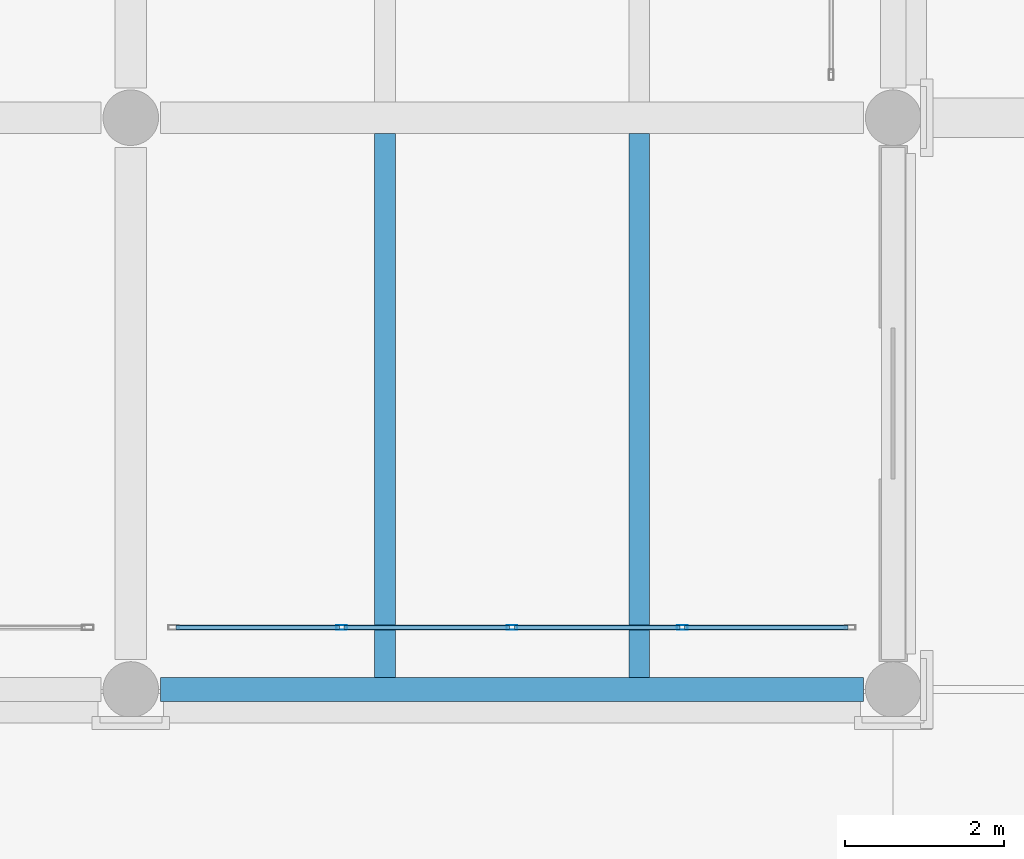
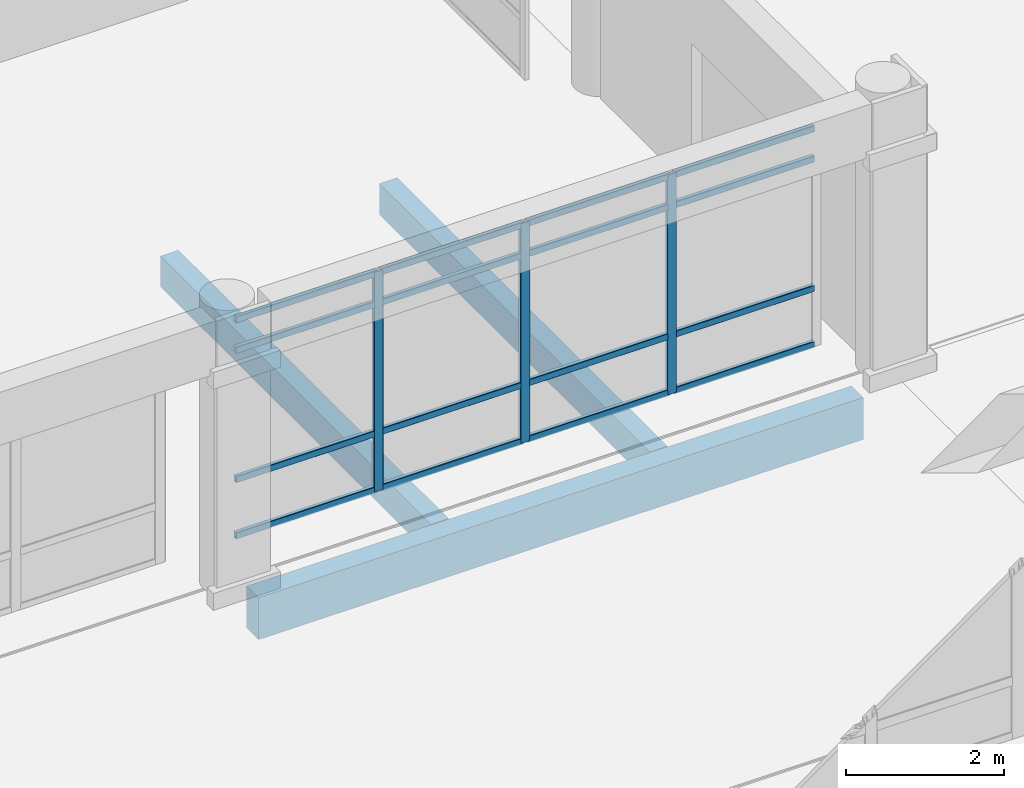
# One storey, part 58 of 196: 19 members, 3 beams, 1 element without a shape of its own.
"""IFC4 building model written with IfcOpenShell, lengths in metres."""

import ifcopenshell
import ifcopenshell.guid

model = None  # the IFC model being written
_history = None  # IfcOwnerHistory: only IFC2X3 demands one
_inside = {}  # id of a spatial element -> (the spatial element, [elements in it])
_under = {}  # id of a project, library or spatial element -> (it, [spatial elements below it])
_declared = {}  # id of a project -> (the project, [libraries it declares])
_typed = {}  # id of a type object -> (the type object, [elements of that type])
_made_of = {}  # id of a material, layer set ... -> (it, [elements and type objects made of it])


def new_model(schema):
    """Start an empty IFC model of exactly this schema.

    Asked for "IFC4X3", IfcOpenShell would pick the latest addendum, in which some entities
    have other attributes; the version numbers below select the first issue.
    IFC2X3 requires an IfcOwnerHistory on every rooted entity: one is made here for all.
    """
    global model, _history
    if schema == "IFC4X3":
        model = ifcopenshell.file(schema_version=(4, 3, 0, 0))
    else:
        model = ifcopenshell.file(schema=schema)
    _inside.clear()
    _under.clear()
    _declared.clear()
    _typed.clear()
    _made_of.clear()
    _history = None
    if model.schema == "IFC2X3":
        org = make("IfcOrganization", Name="unknown")
        user = make(
            "IfcPersonAndOrganization",
            ThePerson=make("IfcPerson", FamilyName="unknown"),
            TheOrganization=org,
        )
        app = make(
            "IfcApplication",
            ApplicationDeveloper=org,
            Version="unknown",
            ApplicationFullName="unknown",
            ApplicationIdentifier="unknown",
        )
        _history = make(
            "IfcOwnerHistory",
            OwningUser=user,
            OwningApplication=app,
            ChangeAction="ADDED",
            CreationDate=0,
        )
    return model


def make(cls, **values):
    """One entity of the class cls with the attributes given. An attribute that is None is left unset."""
    return model.create_entity(
        cls, **{name: value for name, value in values.items() if value is not None}
    )


def rooted(cls, **values):
    """An entity with a GlobalId (a new one), such as an element, a storey or a relation."""
    return make(cls, GlobalId=ifcopenshell.guid.new(), OwnerHistory=_history, **values)


def si_unit(unit_type, name, prefix=None):
    """IfcSIUnit, for example si_unit("LENGTHUNIT", "METRE", prefix="MILLI")."""
    return make("IfcSIUnit", UnitType=unit_type, Prefix=prefix, Name=name)


def assignment(units):
    """IfcUnitAssignment: the units of a project."""
    return None if units is None else make("IfcUnitAssignment", Units=units)


def point(xyz):
    """IfcCartesianPoint."""
    return None if xyz is None else make("IfcCartesianPoint", Coordinates=xyz)


def direction(xyz):
    """IfcDirection."""
    return None if xyz is None else make("IfcDirection", DirectionRatios=xyz)


def frame(location, z_axis=None, x_axis=None):
    """IfcAxis2Placement3D, a coordinate frame: its origin and axes. An axis left out is left unset."""
    return make(
        "IfcAxis2Placement3D",
        Location=point(location),
        Axis=direction(z_axis),
        RefDirection=direction(x_axis),
    )


def frame_2d(location, x_axis=None):
    """IfcAxis2Placement2D, a coordinate frame in the plane: its origin and x axis."""
    return make(
        "IfcAxis2Placement2D", Location=point(location), RefDirection=direction(x_axis)
    )


def origin():
    """The frame at (0, 0, 0) with its axes left unset."""
    return frame((0.0, 0.0, 0.0))


def origin_2d():
    """The frame at (0, 0) in the plane with its x axis left unset."""
    return frame_2d((0.0, 0.0))


def place(relative_to, where):
    """IfcLocalPlacement: puts the frame where relative to a parent placement (None: the world)."""
    return make(
        "IfcLocalPlacement", PlacementRelTo=relative_to, RelativePlacement=where
    )


def context(
    kind, dimensions, precision=None, world=None, true_north=None, identifier=None
):
    """IfcGeometricRepresentationContext, for example the 3D "Model" context."""
    return make(
        "IfcGeometricRepresentationContext",
        ContextIdentifier=identifier,
        ContextType=kind,
        CoordinateSpaceDimension=dimensions,
        Precision=precision,
        WorldCoordinateSystem=world,
        TrueNorth=true_north,
    )


def subcontext(parent, identifier, kind, view, scale=None):
    """IfcGeometricRepresentationSubContext, for example "Body" below "Model"."""
    return make(
        "IfcGeometricRepresentationSubContext",
        ContextIdentifier=identifier,
        ContextType=kind,
        ParentContext=parent,
        TargetScale=scale,
        TargetView=view,
    )


def project(units=None, contexts=None):
    """IfcProject with its units and contexts."""
    return rooted(
        "IfcProject",
        Name="project",
        RepresentationContexts=contexts,
        UnitsInContext=assignment(units),
    )


def spatial(cls, under=None, at=None, **own):
    """A site, building, storey or space (cls), placed at a placement, below another one or the project."""
    s = rooted(cls, ObjectPlacement=at, **own)
    if under is not None:
        _under.setdefault(under.id(), (under, []))[1].append(s)
    return s


def profile(cls, at=None, kind="AREA", **sizes):
    """A parametric profile (cls). Its sizes go by their IFC names, for example OverallWidth=200.0."""
    return make(cls, ProfileType=kind, Position=at, **sizes)


def rectangle(**sizes):
    """IfcRectangleProfileDef."""
    return profile("IfcRectangleProfileDef", **sizes)


def hollow_rectangle(**sizes):
    """IfcRectangleHollowProfileDef."""
    return profile("IfcRectangleHollowProfileDef", **sizes)


def extrude(swept, where, along, depth):
    """IfcExtrudedAreaSolid: the profile swept, set in the frame where, extruded along a direction by depth."""
    return make(
        "IfcExtrudedAreaSolid",
        SweptArea=swept,
        Position=where,
        ExtrudedDirection=direction(along),
        Depth=depth,
    )


def shape(context_of_items, identifier, shape_type, items):
    """IfcShapeRepresentation: the items that make up one representation, for example the "Body"."""
    return make(
        "IfcShapeRepresentation",
        ContextOfItems=context_of_items,
        RepresentationIdentifier=identifier,
        RepresentationType=shape_type,
        Items=items,
    )


def material(Name=None, Category=None):
    """IfcMaterial."""
    return make("IfcMaterial", Name=Name, Category=Category)


def layer(
    of_material, thickness, ventilated=None, Name=None, Category=None, Priority=None
):
    """IfcMaterialLayer: one layer of a wall or slab, of a material (None: an air gap)."""
    return make(
        "IfcMaterialLayer",
        Material=of_material,
        LayerThickness=thickness,
        IsVentilated=ventilated,
        Name=Name,
        Category=Category,
        Priority=Priority,
    )


def layer_set(layers, Name=None):
    """IfcMaterialLayerSet."""
    return make("IfcMaterialLayerSet", MaterialLayers=layers, LayerSetName=Name)


def material_profile(
    of_material, cross_section, Name=None, Category=None, Priority=None
):
    """IfcMaterialProfile: a cross section and its material."""
    return make(
        "IfcMaterialProfile",
        Name=Name,
        Material=of_material,
        Profile=cross_section,
        Priority=Priority,
        Category=Category,
    )


def profile_set(profiles, Name=None, composite=None):
    """IfcMaterialProfileSet."""
    return make(
        "IfcMaterialProfileSet",
        Name=Name,
        MaterialProfiles=profiles,
        CompositeProfile=composite,
    )


def made_of(thing, what):
    """Note that an element or type object is made of a material, layer set ...; save() writes the relation."""
    if what is not None:
        _made_of.setdefault(what.id(), (what, []))[1].append(thing)
    return thing


def type_object(cls, material=None, **own):
    """A type object (cls), such as IfcWallType, which elements share."""
    return made_of(rooted(cls, **own), material)


def element(
    cls,
    number,
    at=None,
    inside=None,
    cuts=None,
    type_object=None,
    material=None,
    context=None,
    identifier="Body",
    shape_type=None,
    held_by="IfcProductDefinitionShape",
    body=None,
    shapes=None,
    **own,
):
    """One element of the class cls, such as IfcWall. Its Tag is "e" and its number.

    at: its placement. inside: the storey or other place that contains it. cuts: it is an
    opening in that element (IfcRelVoidsElement). A single representation is given by context,
    identifier, shape_type and body (its items); several are given by shapes. held_by: the class
    of the entity that holds the representations. save() writes the other relations.
    """
    e = rooted(cls, Tag="e%d" % number, ObjectPlacement=at, **own)
    if body is not None:
        shapes = [shape(context, identifier, shape_type, body)]
    if shapes is not None:
        e.Representation = make(held_by, Representations=shapes)
    if inside is not None:
        _inside.setdefault(inside.id(), (inside, []))[1].append(e)
    if cuts is not None:
        rooted(
            "IfcRelVoidsElement", RelatingBuildingElement=cuts, RelatedOpeningElement=e
        )
    if type_object is not None:
        _typed.setdefault(type_object.id(), (type_object, []))[1].append(e)
    return made_of(e, material)


def aggregate(whole, parts):
    """IfcRelAggregates: a whole, such as a stair, and the parts it consists of."""
    return rooted("IfcRelAggregates", RelatingObject=whole, RelatedObjects=parts)


def save(model, path):
    """Write the relations noted so far, then the file.

    IfcRelAggregates (storeys below a building ...), IfcRelContainedInSpatialStructure (elements
    in a storey), IfcRelDefinesByType, IfcRelAssociatesMaterial and IfcRelDeclares: one each for
    every whole, place, type object, material and project.
    """
    for whole, parts in _under.values():
        aggregate(whole, parts)
    for where, things in _inside.values():
        rooted(
            "IfcRelContainedInSpatialStructure",
            RelatedElements=things,
            RelatingStructure=where,
        )
    for kind, things in _typed.values():
        rooted("IfcRelDefinesByType", RelatedObjects=things, RelatingType=kind)
    for what, things in _made_of.values():
        rooted("IfcRelAssociatesMaterial", RelatedObjects=things, RelatingMaterial=what)
    for by, libraries in _declared.values():
        rooted("IfcRelDeclares", RelatingContext=by, RelatedDefinitions=libraries)
    model.write(path)


model = new_model("IFC4")

# Units and contexts
model_context = context("Model", 3, precision=1e-05, world=origin(), true_north=direction((0.0, 1.0)))
body_context = subcontext(model_context, "Body", "Model", "MODEL_VIEW")
ifc_project = project(units=[si_unit("LENGTHUNIT", "METRE"), si_unit("AREAUNIT", "SQUARE_METRE"), si_unit("VOLUMEUNIT", "CUBIC_METRE"), si_unit("PLANEANGLEUNIT", "RADIAN"), si_unit("MASSUNIT", "GRAM", prefix="KILO")], contexts=[model_context])

# Site, building, storey
site_placement = place(None, origin())
site = spatial("IfcSite", under=ifc_project, at=site_placement, CompositionType="ELEMENT")
building_placement = place(site_placement, origin())
building = spatial("IfcBuilding", under=site, at=building_placement, Name="Asteropetra Specialist Clinic", CompositionType="ELEMENT")
storey_placement = place(building_placement, origin())
storey = spatial("IfcBuildingStorey", under=building, at=storey_placement, Name="L00", CompositionType="ELEMENT", Elevation=0.0)

# Curtain wall, members
ifc_material_1 = material(Name="Aluminium and low-E glass", Category="aluminium")
ifc_layer = layer(ifc_material_1, 0.14990234375)
ifc_layer_set = layer_set([ifc_layer], Name="Aluminium and low-E glass")
curtain_wall_type = type_object("IfcCurtainWallType", Name="CW-SYS-11", PredefinedType="USERDEFINED", material=ifc_layer_set)
curtain_wall_placement = place(storey_placement, origin())
curtain_wall = element("IfcCurtainWall", 1, at=curtain_wall_placement, inside=storey, type_object=curtain_wall_type, Name="Curtain Wall CW-149", ObjectType="STICK GLAZED COLONNADE", PredefinedType="USERDEFINED")
ifc_material_2 = material(Name="Aluminium 6063-T6", Category="aluminium")
ifc_material_profile_1 = material_profile(ifc_material_2, hollow_rectangle(XDim=0.06005859375, YDim=0.135009765625, WallThickness=0.00341796875, InnerFilletRadius=0.00341796875, OuterFilletRadius=0.007080078125, at=origin_2d()), Name="MUL 135x60x3.5")
ifc_profile_set_1 = profile_set([ifc_material_profile_1], Name="Aluminium 6063-T6")
member_type_1 = type_object("IfcMemberType", Name="CWM-135x60", PredefinedType="MULLION", material=ifc_profile_set_1)
member_1_placement = place(storey_placement, frame((41.054931640625, 34.3798828125, 0.0), z_axis=(0.0, 0.0, 1.0), x_axis=(0.0, 1.0, 0.0)))
member_1 = element("IfcMember", 2, at=member_1_placement, type_object=member_type_1, Name="CW-149 mullion 2", PredefinedType="MULLION", context=body_context, shape_type="SweptSolid", body=[
    extrude(hollow_rectangle(XDim=0.06005859375, YDim=0.135009765625, WallThickness=0.00341796875, InnerFilletRadius=0.00341796875, OuterFilletRadius=0.007080078125, at=origin_2d()), origin(), (0.0, 0.0, 1.0), 3.39990234375),
])
member_2_placement = place(storey_placement, frame((43.199951171875, 34.3798828125, 0.0), z_axis=(0.0, 0.0, 1.0), x_axis=(0.0, 1.0, 0.0)))
member_2 = element("IfcMember", 3, at=member_2_placement, type_object=member_type_1, Name="CW-149 mullion 3", PredefinedType="MULLION", context=body_context, shape_type="SweptSolid", body=[
    extrude(hollow_rectangle(XDim=0.06005859375, YDim=0.135009765625, WallThickness=0.00341796875, InnerFilletRadius=0.00341796875, OuterFilletRadius=0.007080078125, at=origin_2d()), origin(), (0.0, 0.0, 1.0), 3.39990234375),
])
member_3_placement = place(storey_placement, frame((45.344970703125, 34.3798828125, 0.0), z_axis=(0.0, 0.0, 1.0), x_axis=(0.0, 1.0, 0.0)))
member_3 = element("IfcMember", 4, at=member_3_placement, type_object=member_type_1, Name="CW-149 mullion 4", PredefinedType="MULLION", context=body_context, shape_type="SweptSolid", body=[
    extrude(hollow_rectangle(XDim=0.06005859375, YDim=0.135009765625, WallThickness=0.00341796875, InnerFilletRadius=0.00341796875, OuterFilletRadius=0.007080078125, at=origin_2d()), origin(), (0.0, 0.0, 1.0), 3.39990234375),
])
ifc_material_3 = material(Name="Aluminium 6063-T6", Category="aluminium")
ifc_material_profile_2 = material_profile(ifc_material_3, hollow_rectangle(XDim=0.06005859375, YDim=0.10009765625, WallThickness=0.00341796875, InnerFilletRadius=0.00341796875, OuterFilletRadius=0.007080078125, at=origin_2d()), Name="TRN 100x60x3.5")
ifc_profile_set_2 = profile_set([ifc_material_profile_2], Name="Aluminium 6063-T6")
member_type_2 = type_object("IfcMemberType", Name="CWT-100x60", PredefinedType="USERDEFINED", material=ifc_profile_set_2)
member_4_placement = place(storey_placement, frame((38.969970703125, 34.3798828125, 0.030029296875), z_axis=(1.0, 0.0, 0.0), x_axis=(0.0, 1.0, 0.0)))
member_4 = element("IfcMember", 5, at=member_4_placement, type_object=member_type_2, Name="CW-149 transom 1.1", ObjectType="TRANSOM", PredefinedType="USERDEFINED", context=body_context, shape_type="SweptSolid", body=[
    extrude(hollow_rectangle(XDim=0.06005859375, YDim=0.10009765625, WallThickness=0.00341796875, InnerFilletRadius=0.00341796875, OuterFilletRadius=0.007080078125, at=origin_2d()), origin(), (0.0, 0.0, 1.0), 2.054931640625),
])
member_5_placement = place(storey_placement, frame((38.969970703125, 34.3798828125, 0.89990234375), z_axis=(1.0, 0.0, 0.0), x_axis=(0.0, 1.0, 0.0)))
member_5 = element("IfcMember", 6, at=member_5_placement, type_object=member_type_2, Name="CW-149 transom 1.2", ObjectType="TRANSOM", PredefinedType="USERDEFINED", context=body_context, shape_type="SweptSolid", body=[
    extrude(hollow_rectangle(XDim=0.06005859375, YDim=0.10009765625, WallThickness=0.00341796875, InnerFilletRadius=0.00341796875, OuterFilletRadius=0.007080078125, at=origin_2d()), origin(), (0.0, 0.0, 1.0), 2.054931640625),
])
member_6_placement = place(storey_placement, frame((38.969970703125, 34.3798828125, 2.89990234375), z_axis=(1.0, 0.0, 0.0), x_axis=(0.0, 1.0, 0.0)))
member_6 = element("IfcMember", 7, at=member_6_placement, type_object=member_type_2, Name="CW-149 transom 1.3", ObjectType="TRANSOM", PredefinedType="USERDEFINED", context=body_context, shape_type="SweptSolid", body=[
    extrude(hollow_rectangle(XDim=0.06005859375, YDim=0.10009765625, WallThickness=0.00341796875, InnerFilletRadius=0.00341796875, OuterFilletRadius=0.007080078125, at=origin_2d()), origin(), (0.0, 0.0, 1.0), 2.054931640625),
])
member_7_placement = place(storey_placement, frame((38.969970703125, 34.3798828125, 3.3701171875), z_axis=(1.0, 0.0, 0.0), x_axis=(0.0, 1.0, 0.0)))
member_7 = element("IfcMember", 8, at=member_7_placement, type_object=member_type_2, Name="CW-149 transom 1.4", ObjectType="TRANSOM", PredefinedType="USERDEFINED", context=body_context, shape_type="SweptSolid", body=[
    extrude(hollow_rectangle(XDim=0.06005859375, YDim=0.10009765625, WallThickness=0.00341796875, InnerFilletRadius=0.00341796875, OuterFilletRadius=0.007080078125, at=origin_2d()), origin(), (0.0, 0.0, 1.0), 2.054931640625),
])
member_8_placement = place(storey_placement, frame((41.0849609375, 34.3798828125, 0.030029296875), z_axis=(1.0, 0.0, 0.0), x_axis=(0.0, 1.0, 0.0)))
member_8 = element("IfcMember", 9, at=member_8_placement, type_object=member_type_2, Name="CW-149 transom 2.1", ObjectType="TRANSOM", PredefinedType="USERDEFINED", context=body_context, shape_type="SweptSolid", body=[
    extrude(hollow_rectangle(XDim=0.06005859375, YDim=0.10009765625, WallThickness=0.00341796875, InnerFilletRadius=0.00341796875, OuterFilletRadius=0.007080078125, at=origin_2d()), origin(), (0.0, 0.0, 1.0), 2.0849609375),
])
member_9_placement = place(storey_placement, frame((41.0849609375, 34.3798828125, 0.89990234375), z_axis=(1.0, 0.0, 0.0), x_axis=(0.0, 1.0, 0.0)))
member_9 = element("IfcMember", 10, at=member_9_placement, type_object=member_type_2, Name="CW-149 transom 2.2", ObjectType="TRANSOM", PredefinedType="USERDEFINED", context=body_context, shape_type="SweptSolid", body=[
    extrude(hollow_rectangle(XDim=0.06005859375, YDim=0.10009765625, WallThickness=0.00341796875, InnerFilletRadius=0.00341796875, OuterFilletRadius=0.007080078125, at=origin_2d()), origin(), (0.0, 0.0, 1.0), 2.0849609375),
])
member_10_placement = place(storey_placement, frame((41.0849609375, 34.3798828125, 2.89990234375), z_axis=(1.0, 0.0, 0.0), x_axis=(0.0, 1.0, 0.0)))
member_10 = element("IfcMember", 11, at=member_10_placement, type_object=member_type_2, Name="CW-149 transom 2.3", ObjectType="TRANSOM", PredefinedType="USERDEFINED", context=body_context, shape_type="SweptSolid", body=[
    extrude(hollow_rectangle(XDim=0.06005859375, YDim=0.10009765625, WallThickness=0.00341796875, InnerFilletRadius=0.00341796875, OuterFilletRadius=0.007080078125, at=origin_2d()), origin(), (0.0, 0.0, 1.0), 2.0849609375),
])
member_11_placement = place(storey_placement, frame((41.0849609375, 34.3798828125, 3.3701171875), z_axis=(1.0, 0.0, 0.0), x_axis=(0.0, 1.0, 0.0)))
member_11 = element("IfcMember", 12, at=member_11_placement, type_object=member_type_2, Name="CW-149 transom 2.4", ObjectType="TRANSOM", PredefinedType="USERDEFINED", context=body_context, shape_type="SweptSolid", body=[
    extrude(hollow_rectangle(XDim=0.06005859375, YDim=0.10009765625, WallThickness=0.00341796875, InnerFilletRadius=0.00341796875, OuterFilletRadius=0.007080078125, at=origin_2d()), origin(), (0.0, 0.0, 1.0), 2.0849609375),
])
member_12_placement = place(storey_placement, frame((43.22998046875, 34.3798828125, 0.030029296875), z_axis=(1.0, 0.0, 0.0), x_axis=(0.0, 1.0, 0.0)))
member_12 = element("IfcMember", 13, at=member_12_placement, type_object=member_type_2, Name="CW-149 transom 3.1", ObjectType="TRANSOM", PredefinedType="USERDEFINED", context=body_context, shape_type="SweptSolid", body=[
    extrude(hollow_rectangle(XDim=0.06005859375, YDim=0.10009765625, WallThickness=0.00341796875, InnerFilletRadius=0.00341796875, OuterFilletRadius=0.007080078125, at=origin_2d()), origin(), (0.0, 0.0, 1.0), 2.0849609375),
])
member_13_placement = place(storey_placement, frame((43.22998046875, 34.3798828125, 0.89990234375), z_axis=(1.0, 0.0, 0.0), x_axis=(0.0, 1.0, 0.0)))
member_13 = element("IfcMember", 14, at=member_13_placement, type_object=member_type_2, Name="CW-149 transom 3.2", ObjectType="TRANSOM", PredefinedType="USERDEFINED", context=body_context, shape_type="SweptSolid", body=[
    extrude(hollow_rectangle(XDim=0.06005859375, YDim=0.10009765625, WallThickness=0.00341796875, InnerFilletRadius=0.00341796875, OuterFilletRadius=0.007080078125, at=origin_2d()), origin(), (0.0, 0.0, 1.0), 2.0849609375),
])
member_14_placement = place(storey_placement, frame((43.22998046875, 34.3798828125, 2.89990234375), z_axis=(1.0, 0.0, 0.0), x_axis=(0.0, 1.0, 0.0)))
member_14 = element("IfcMember", 15, at=member_14_placement, type_object=member_type_2, Name="CW-149 transom 3.3", ObjectType="TRANSOM", PredefinedType="USERDEFINED", context=body_context, shape_type="SweptSolid", body=[
    extrude(hollow_rectangle(XDim=0.06005859375, YDim=0.10009765625, WallThickness=0.00341796875, InnerFilletRadius=0.00341796875, OuterFilletRadius=0.007080078125, at=origin_2d()), origin(), (0.0, 0.0, 1.0), 2.0849609375),
])
member_15_placement = place(storey_placement, frame((43.22998046875, 34.3798828125, 3.3701171875), z_axis=(1.0, 0.0, 0.0), x_axis=(0.0, 1.0, 0.0)))
member_15 = element("IfcMember", 16, at=member_15_placement, type_object=member_type_2, Name="CW-149 transom 3.4", ObjectType="TRANSOM", PredefinedType="USERDEFINED", context=body_context, shape_type="SweptSolid", body=[
    extrude(hollow_rectangle(XDim=0.06005859375, YDim=0.10009765625, WallThickness=0.00341796875, InnerFilletRadius=0.00341796875, OuterFilletRadius=0.007080078125, at=origin_2d()), origin(), (0.0, 0.0, 1.0), 2.0849609375),
])
member_16_placement = place(storey_placement, frame((45.375, 34.3798828125, 0.030029296875), z_axis=(1.0, 0.0, 0.0), x_axis=(0.0, 1.0, 0.0)))
member_16 = element("IfcMember", 17, at=member_16_placement, type_object=member_type_2, Name="CW-149 transom 4.1", ObjectType="TRANSOM", PredefinedType="USERDEFINED", context=body_context, shape_type="SweptSolid", body=[
    extrude(hollow_rectangle(XDim=0.06005859375, YDim=0.10009765625, WallThickness=0.00341796875, InnerFilletRadius=0.00341796875, OuterFilletRadius=0.007080078125, at=origin_2d()), origin(), (0.0, 0.0, 1.0), 2.054931640625),
])
member_17_placement = place(storey_placement, frame((45.375, 34.3798828125, 0.89990234375), z_axis=(1.0, 0.0, 0.0), x_axis=(0.0, 1.0, 0.0)))
member_17 = element("IfcMember", 18, at=member_17_placement, type_object=member_type_2, Name="CW-149 transom 4.2", ObjectType="TRANSOM", PredefinedType="USERDEFINED", context=body_context, shape_type="SweptSolid", body=[
    extrude(hollow_rectangle(XDim=0.06005859375, YDim=0.10009765625, WallThickness=0.00341796875, InnerFilletRadius=0.00341796875, OuterFilletRadius=0.007080078125, at=origin_2d()), origin(), (0.0, 0.0, 1.0), 2.054931640625),
])
member_18_placement = place(storey_placement, frame((45.375, 34.3798828125, 2.89990234375), z_axis=(1.0, 0.0, 0.0), x_axis=(0.0, 1.0, 0.0)))
member_18 = element("IfcMember", 19, at=member_18_placement, type_object=member_type_2, Name="CW-149 transom 4.3", ObjectType="TRANSOM", PredefinedType="USERDEFINED", context=body_context, shape_type="SweptSolid", body=[
    extrude(hollow_rectangle(XDim=0.06005859375, YDim=0.10009765625, WallThickness=0.00341796875, InnerFilletRadius=0.00341796875, OuterFilletRadius=0.007080078125, at=origin_2d()), origin(), (0.0, 0.0, 1.0), 2.054931640625),
])
member_19_placement = place(storey_placement, frame((45.375, 34.3798828125, 3.3701171875), z_axis=(1.0, 0.0, 0.0), x_axis=(0.0, 1.0, 0.0)))
member_19 = element("IfcMember", 20, at=member_19_placement, type_object=member_type_2, Name="CW-149 transom 4.4", ObjectType="TRANSOM", PredefinedType="USERDEFINED", context=body_context, shape_type="SweptSolid", body=[
    extrude(hollow_rectangle(XDim=0.06005859375, YDim=0.10009765625, WallThickness=0.00341796875, InnerFilletRadius=0.00341796875, OuterFilletRadius=0.007080078125, at=origin_2d()), origin(), (0.0, 0.0, 1.0), 2.054931640625),
])
aggregate(curtain_wall, [member_1, member_2, member_3, member_4, member_5, member_6, member_7, member_8, member_9, member_10, member_11, member_12, member_13, member_14, member_15, member_16, member_17, member_18, member_19])

# Beams
ifc_material_4 = material(Name="Concrete C35/45", Category="concrete")
ifc_material_profile_3 = material_profile(ifc_material_4, rectangle(XDim=0.260009765625, YDim=0.47998046875, at=origin_2d()), Name="RCJ 260x480")
ifc_profile_set_3 = profile_set([ifc_material_profile_3], Name="Concrete C35/45")
beam_type_1 = type_object("IfcBeamType", Name="JST-RC260x480", PredefinedType="JOIST", material=ifc_profile_set_3)
for number, where, z_axis, x_axis, name in (
    (21, (41.60009765625, 33.75, -0.5400390625), (0.0, 1.0, 0.0), (-1.0, 0.0, 0.0), "Joist JJST02-0170"),
    (22, (44.800048828125, 33.75, -0.5400390625), (0.0, 1.0, 0.0), (-1.0, 0.0, 0.0), "Joist JJST02-0171"),
):
    element("IfcBeam", number, at=place(storey_placement, frame(where, z_axis=z_axis, x_axis=x_axis)), inside=storey, type_object=beam_type_1, Name=name, PredefinedType="JOIST", context=body_context, shape_type="SweptSolid", body=[
        extrude(rectangle(XDim=0.260009765625, YDim=0.47998046875, at=origin_2d()), origin(), (0.0, 0.0, 1.0), 6.85009765625),
    ])
ifc_material_5 = material(Name="Concrete C35/45", Category="concrete")
ifc_material_profile_4 = material_profile(ifc_material_5, rectangle(XDim=0.300048828125, YDim=0.64990234375, at=origin_2d()), Name="RCS 300x650")
ifc_profile_set_4 = profile_set([ifc_material_profile_4], Name="Concrete C35/45")
beam_type_2 = type_object("IfcBeamType", Name="SPN-RC300x650", PredefinedType="SPANDREL", material=ifc_profile_set_4)
beam_placement = place(storey_placement, frame((38.77490234375, 33.60009765625, -0.635009765625), z_axis=(1.0, 0.0, 0.0), x_axis=(0.0, 1.0, 0.0)))
element("IfcBeam", 23, at=beam_placement, inside=storey, type_object=beam_type_2, Name="Beam BSPN03-0137", PredefinedType="SPANDREL", context=body_context, shape_type="SweptSolid", body=[
    extrude(rectangle(XDim=0.300048828125, YDim=0.64990234375, at=origin_2d()), origin(), (0.0, 0.0, 1.0), 8.85009765625),
])

save(model, "model.ifc")
